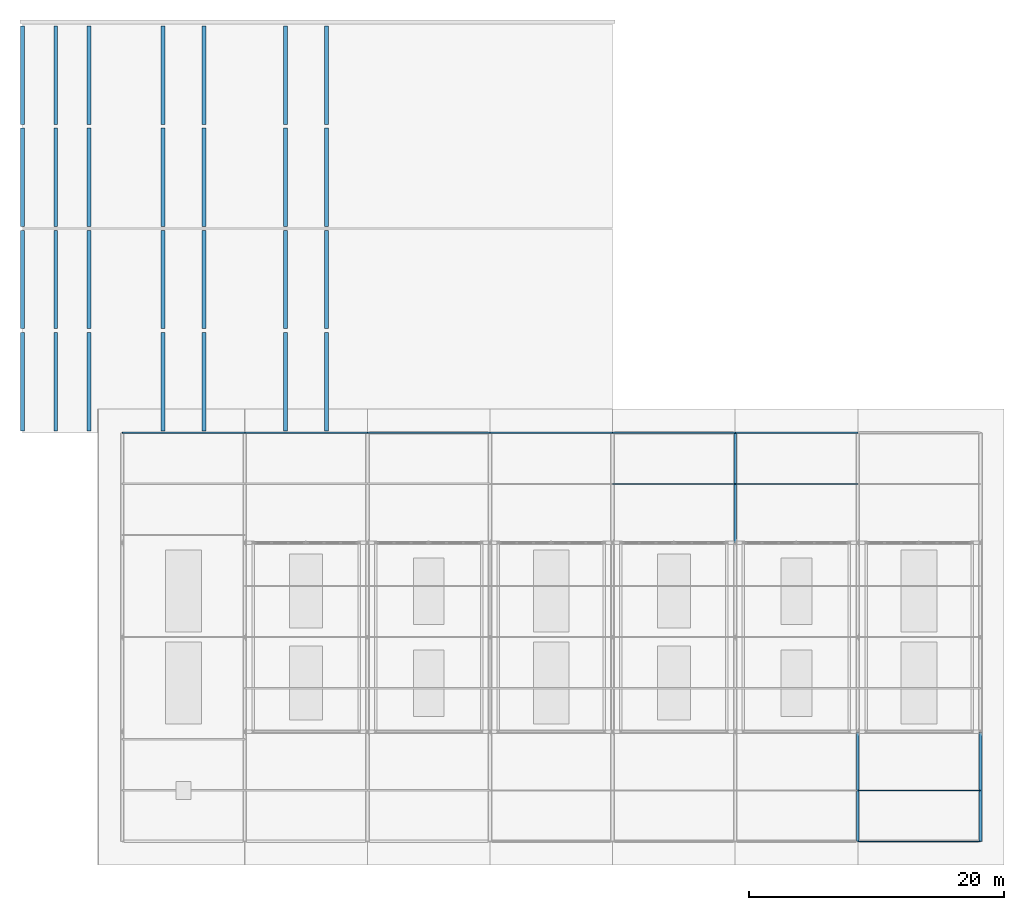
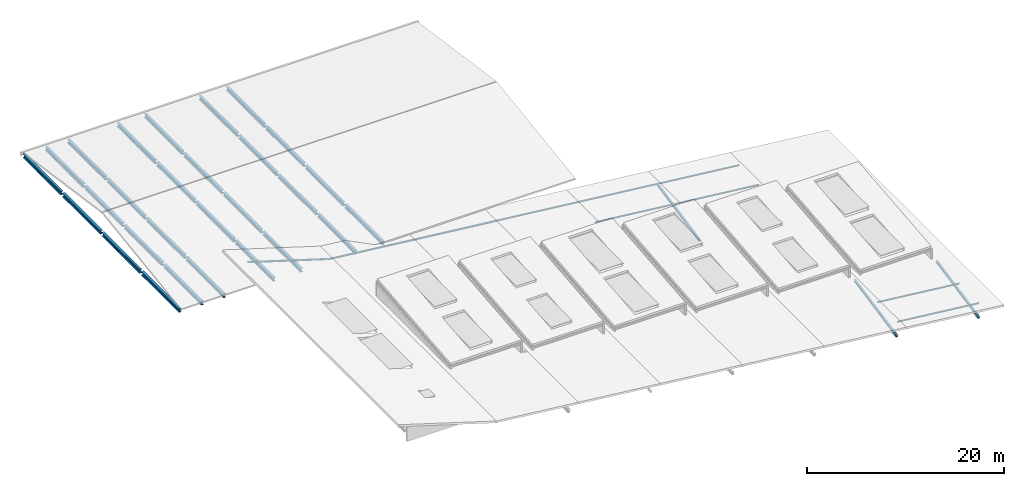
# One storey, part 19 of 30: 28 beams, 13 members.
"""IFC4 building model written with IfcOpenShell, lengths in metres."""

from ifc_helpers import new_model, si_unit, direction, frame, origin, origin_2d, place, context, subcontext, project, spatial, i_section, extrude, material, material_profile, profile_set, type_object, element, save


model = new_model("IFC4")

# Units and contexts
model_context = context("Model", 3, precision=1e-05, world=origin(), true_north=direction((0.0, 1.0)))
body_context = subcontext(model_context, "Body", "Model", "MODEL_VIEW")
ifc_project = project(units=[si_unit("LENGTHUNIT", "METRE"), si_unit("AREAUNIT", "SQUARE_METRE"), si_unit("VOLUMEUNIT", "CUBIC_METRE"), si_unit("PLANEANGLEUNIT", "RADIAN"), si_unit("MASSUNIT", "GRAM", prefix="KILO")], contexts=[model_context])

# Site, building, storey
site_placement = place(None, origin())
site = spatial("IfcSite", under=ifc_project, at=site_placement, CompositionType="ELEMENT")
building_placement = place(site_placement, origin())
building = spatial("IfcBuilding", under=site, at=building_placement, Name="Alderhovde Museum", CompositionType="ELEMENT")
storey_placement = place(building_placement, frame((0.0, 0.0, 30.699951171875)))
storey = spatial("IfcBuildingStorey", under=building, at=storey_placement, Name="RF", CompositionType="ELEMENT", Elevation=30.699951171875)

# Beams
ifc_material_1 = material(Name="Steel S355J2", Category="steel")
ifc_material_profile_1 = material_profile(ifc_material_1, i_section(OverallWidth=0.300048828125, OverallDepth=0.449951171875, WebThickness=0.013916015625, FlangeThickness=0.02587890625, FilletRadius=0.027099609375, at=origin_2d()), Name="HEB 450")
ifc_profile_set_1 = profile_set([ifc_material_profile_1], Name="Steel S355J2")
beam_type = type_object("IfcBeamType", Name="BM-HEB450", PredefinedType="BEAM", material=ifc_profile_set_1)
for number, where, z_axis, x_axis, name in (
    (1, (1.800048828125, 80.14990234375, -2.125), (0.0, 1.0, 0.0), (-1.0, 0.0, 0.0), "RF Transfer Transverse Beam X=1.8"),
    (2, (1.800048828125, 88.14990234375, -2.125), (0.0, 1.0, 0.0), (-1.0, 0.0, 0.0), "RF Transfer Transverse Beam X=1.8"),
    (3, (1.800048828125, 96.14990234375, -2.125), (0.0, 1.0, 0.0), (-1.0, 0.0, 0.0), "RF Transfer Transverse Beam X=1.8"),
    (4, (1.800048828125, 104.14990234375, -2.125), (0.0, 1.0, 0.0), (-1.0, 0.0, 0.0), "RF Transfer Transverse Beam X=1.8"),
    (5, (4.39990234375, 80.14990234375, -2.125), (0.0, 1.0, 0.0), (-1.0, 0.0, 0.0), "RF Transfer Transverse Beam X=4.4"),
    (6, (4.39990234375, 88.14990234375, -2.125), (0.0, 1.0, 0.0), (-1.0, 0.0, 0.0), "RF Transfer Transverse Beam X=4.4"),
    (7, (4.39990234375, 96.14990234375, -2.125), (0.0, 1.0, 0.0), (-1.0, 0.0, 0.0), "RF Transfer Transverse Beam X=4.4"),
    (8, (4.39990234375, 104.14990234375, -2.125), (0.0, 1.0, 0.0), (-1.0, 0.0, 0.0), "RF Transfer Transverse Beam X=4.4"),
    (9, (7.0, 80.14990234375, -2.125), (0.0, 1.0, 0.0), (-1.0, 0.0, 0.0), "RF Transfer Transverse Beam X=7.0"),
    (10, (7.0, 88.14990234375, -2.125), (0.0, 1.0, 0.0), (-1.0, 0.0, 0.0), "RF Transfer Transverse Beam X=7.0"),
    (11, (7.0, 96.14990234375, -2.125), (0.0, 1.0, 0.0), (-1.0, 0.0, 0.0), "RF Transfer Transverse Beam X=7.0"),
    (12, (7.0, 104.14990234375, -2.125), (0.0, 1.0, 0.0), (-1.0, 0.0, 0.0), "RF Transfer Transverse Beam X=7.0"),
    (13, (12.800048828125, 80.14990234375, -2.125), (0.0, 1.0, 0.0), (-1.0, 0.0, 0.0), "RF Transfer Transverse Beam X=12.8"),
    (14, (12.800048828125, 88.14990234375, -2.125), (0.0, 1.0, 0.0), (-1.0, 0.0, 0.0), "RF Transfer Transverse Beam X=12.8"),
    (15, (12.800048828125, 96.14990234375, -2.125), (0.0, 1.0, 0.0), (-1.0, 0.0, 0.0), "RF Transfer Transverse Beam X=12.8"),
    (16, (12.800048828125, 104.14990234375, -2.125), (0.0, 1.0, 0.0), (-1.0, 0.0, 0.0), "RF Transfer Transverse Beam X=12.8"),
    (17, (16.0, 80.14990234375, -2.125), (0.0, 1.0, 0.0), (-1.0, 0.0, 0.0), "RF Transfer Transverse Beam X=16.0"),
    (18, (16.0, 88.14990234375, -2.125), (0.0, 1.0, 0.0), (-1.0, 0.0, 0.0), "RF Transfer Transverse Beam X=16.0"),
    (19, (16.0, 96.14990234375, -2.125), (0.0, 1.0, 0.0), (-1.0, 0.0, 0.0), "RF Transfer Transverse Beam X=16.0"),
    (20, (16.0, 104.14990234375, -2.125), (0.0, 1.0, 0.0), (-1.0, 0.0, 0.0), "RF Transfer Transverse Beam X=16.0"),
    (21, (22.39990234375, 80.14990234375, -2.125), (0.0, 1.0, 0.0), (-1.0, 0.0, 0.0), "RF Transfer Transverse Beam X=22.4"),
    (22, (22.39990234375, 88.14990234375, -2.125), (0.0, 1.0, 0.0), (-1.0, 0.0, 0.0), "RF Transfer Transverse Beam X=22.4"),
    (23, (22.39990234375, 96.14990234375, -2.125), (0.0, 1.0, 0.0), (-1.0, 0.0, 0.0), "RF Transfer Transverse Beam X=22.4"),
    (24, (22.39990234375, 104.14990234375, -2.125), (0.0, 1.0, 0.0), (-1.0, 0.0, 0.0), "RF Transfer Transverse Beam X=22.4"),
    (25, (25.60009765625, 80.14990234375, -2.125), (0.0, 1.0, 0.0), (-1.0, 0.0, 0.0), "RF Transfer Transverse Beam X=25.6"),
    (26, (25.60009765625, 88.14990234375, -2.125), (0.0, 1.0, 0.0), (-1.0, 0.0, 0.0), "RF Transfer Transverse Beam X=25.6"),
    (27, (25.60009765625, 96.14990234375, -2.125), (0.0, 1.0, 0.0), (-1.0, 0.0, 0.0), "RF Transfer Transverse Beam X=25.6"),
    (28, (25.60009765625, 104.14990234375, -2.125), (0.0, 1.0, 0.0), (-1.0, 0.0, 0.0), "RF Transfer Transverse Beam X=25.6"),
):
    element("IfcBeam", number, at=place(storey_placement, frame(where, z_axis=z_axis, x_axis=x_axis)), inside=storey, type_object=beam_type, Name=name, PredefinedType="BEAM", context=body_context, shape_type="SweptSolid", body=[
        extrude(i_section(OverallWidth=0.300048828125, OverallDepth=0.449951171875, WebThickness=0.013916015625, FlangeThickness=0.02587890625, FilletRadius=0.027099609375, at=origin_2d()), origin(), (0.0, 0.0, 1.0), 7.7001953125),
    ])

# Members
ifc_material_2 = material(Name="Steel S355J2", Category="steel")
ifc_material_profile_2 = material_profile(ifc_material_2, i_section(OverallWidth=0.091064453125, OverallDepth=0.179931640625, WebThickness=0.00537109375, FlangeThickness=0.008056640625, FilletRadius=0.009033203125, at=origin_2d()), Name="IPE 180")
ifc_profile_set_2 = profile_set([ifc_material_profile_2], Name="Steel S355J2")
member_type_1 = type_object("IfcMemberType", Name="PRL-IPE180", PredefinedType="PURLIN", material=ifc_profile_set_2)
for number, where, z_axis, x_axis, name in (
    (29, (38.39990234375, 80.0, -3.806640625), (0.994201715794, 0.0, -0.107531150432), (0.0, 1.0, 0.0), "Folded Wing Roof Purlin Bay 4 Y=80"),
    (30, (48.0, 76.0, -4.844970703125), (0.994201715794, 0.0, -0.107531150432), (0.0, 1.0, 0.0), "Folded Wing Roof Purlin Bay 5 Y=76"),
    (31, (48.0, 80.0, -4.844970703125), (0.994201715794, 0.0, -0.107531150432), (0.0, 1.0, 0.0), "Folded Wing Roof Purlin Bay 5 Y=80"),
):
    element("IfcMember", number, at=place(storey_placement, frame(where, z_axis=z_axis, x_axis=x_axis)), inside=storey, type_object=member_type_1, Name=name, PredefinedType="PURLIN", context=body_context, shape_type="SweptSolid", body=[
        extrude(i_section(OverallWidth=0.091064453125, OverallDepth=0.179931640625, WebThickness=0.00537109375, FlangeThickness=0.008056640625, FilletRadius=0.009033203125, at=origin_2d()), origin(), (0.0, 0.0, 1.0), 9.656005859375),
    ])
for number, where, z_axis, x_axis, name in (
    (32, (57.60009765625, 76.0, -5.88330078125), (0.99420142343, 0.0, -0.107533853509), (0.0, 1.0, 0.0), "Folded Wing Roof Purlin Bay 6 Y=76"),
    (33, (57.60009765625, 80.0, -5.88330078125), (0.99420142343, 0.0, -0.107533853509), (0.0, 1.0, 0.0), "Folded Wing Roof Purlin Bay 6 Y=80"),
):
    element("IfcMember", number, at=place(storey_placement, frame(where, z_axis=z_axis, x_axis=x_axis)), inside=storey, type_object=member_type_1, Name=name, PredefinedType="PURLIN", context=body_context, shape_type="SweptSolid", body=[
        extrude(i_section(OverallWidth=0.091064453125, OverallDepth=0.179931640625, WebThickness=0.00537109375, FlangeThickness=0.008056640625, FilletRadius=0.009033203125, at=origin_2d()), origin(), (0.0, 0.0, 1.0), 9.65576171875),
    ])
for number, where, z_axis, x_axis, name in (
    (34, (67.199951171875, 48.0, -6.921630859375), (0.994201715794, 0.0, -0.107531150432), (0.0, 1.0, 0.0), "Folded Wing Roof Purlin Bay 7 Y=48"),
    (35, (67.199951171875, 52.0, -6.921630859375), (0.994201715794, 0.0, -0.107531150432), (0.0, 1.0, 0.0), "Folded Wing Roof Purlin Bay 7 Y=52"),
):
    element("IfcMember", number, at=place(storey_placement, frame(where, z_axis=z_axis, x_axis=x_axis)), inside=storey, type_object=member_type_1, Name=name, PredefinedType="PURLIN", context=body_context, shape_type="SweptSolid", body=[
        extrude(i_section(OverallWidth=0.091064453125, OverallDepth=0.179931640625, WebThickness=0.00537109375, FlangeThickness=0.008056640625, FilletRadius=0.009033203125, at=origin_2d()), origin(), (0.0, 0.0, 1.0), 9.656005859375),
    ])
ifc_material_3 = material(Name="Steel S355J2", Category="steel")
ifc_material_profile_3 = material_profile(ifc_material_3, i_section(OverallWidth=0.10009765625, OverallDepth=0.199951171875, WebThickness=0.005615234375, FlangeThickness=0.008544921875, FilletRadius=0.011962890625, at=origin_2d()), Name="IPE 200")
ifc_profile_set_3 = profile_set([ifc_material_profile_3], Name="Steel S355J2")
member_type_2 = type_object("IfcMemberType", Name="PRL-IPE200", PredefinedType="PURLIN", material=ifc_profile_set_3)
member_1_placement = place(storey_placement, frame((9.60009765625, 80.0, 1.22998046875), z_axis=(0.955325587026, 0.0, -0.295555447882), x_axis=(0.0, 1.0, 0.0)))
element("IfcMember", 36, at=member_1_placement, inside=storey, type_object=member_type_2, Name="Folded Wing Roof Purlin Bay 1 Y=80", PredefinedType="PURLIN", context=body_context, shape_type="SweptSolid", body=[
    extrude(i_section(OverallWidth=0.10009765625, OverallDepth=0.199951171875, WebThickness=0.005615234375, FlangeThickness=0.008544921875, FilletRadius=0.011962890625, at=origin_2d()), origin(), (0.0, 0.0, 1.0), 10.048828125),
])
member_2_placement = place(storey_placement, frame((19.199951171875, 80.0, -1.739990234375), z_axis=(0.994201715794, 0.0, -0.107531150432), x_axis=(0.0, 1.0, 0.0)))
element("IfcMember", 37, at=member_2_placement, inside=storey, type_object=member_type_2, Name="Folded Wing Roof Purlin Bay 2 Y=80", PredefinedType="PURLIN", context=body_context, shape_type="SweptSolid", body=[
    extrude(i_section(OverallWidth=0.10009765625, OverallDepth=0.199951171875, WebThickness=0.005615234375, FlangeThickness=0.008544921875, FilletRadius=0.011962890625, at=origin_2d()), origin(), (0.0, 0.0, 1.0), 9.656005859375),
])
member_3_placement = place(storey_placement, frame((28.800048828125, 80.0, -2.7783203125), z_axis=(0.99420142343, 0.0, -0.107533853509), x_axis=(0.0, 1.0, 0.0)))
element("IfcMember", 38, at=member_3_placement, inside=storey, type_object=member_type_2, Name="Folded Wing Roof Purlin Bay 3 Y=80", PredefinedType="PURLIN", context=body_context, shape_type="SweptSolid", body=[
    extrude(i_section(OverallWidth=0.10009765625, OverallDepth=0.199951171875, WebThickness=0.005615234375, FlangeThickness=0.008544921875, FilletRadius=0.011962890625, at=origin_2d()), origin(), (0.0, 0.0, 1.0), 9.65576171875),
])
ifc_material_4 = material(Name="Steel S355J2", Category="steel")
ifc_material_profile_4 = material_profile(ifc_material_4, i_section(OverallWidth=0.219970703125, OverallDepth=0.2099609375, WebThickness=0.007080078125, FlangeThickness=0.010986328125, FilletRadius=0.01806640625, at=origin_2d()), Name="HEA 220")
ifc_profile_set_4 = profile_set([ifc_material_profile_4], Name="Steel S355J2")
member_type_3 = type_object("IfcMemberType", Name="TR-DG-HEA220", PredefinedType="RAFTER", material=ifc_profile_set_4)
for number, where, z_axis, x_axis, name in (
    (39, (57.60009765625, 71.39990234375, -7.67333984375), (0.0, 0.97991824063, 0.199399703311), (-1.0, 0.0, 0.0), "Sawtooth Roof Truss X=57.6 Web Diagonal 4"),
    (40, (67.199951171875, 48.0, -8.711669921875), (0.0, 0.97991824063, 0.199399703311), (-1.0, 0.0, 0.0), "Sawtooth Roof Truss X=67.2 Web Diagonal 1"),
    (41, (76.800048828125, 48.0, -9.75), (0.0, 0.97991824063, 0.199399703311), (-1.0, 0.0, 0.0), "Sawtooth Roof Truss X=76.8 Web Diagonal 1"),
):
    element("IfcMember", number, at=place(storey_placement, frame(where, z_axis=z_axis, x_axis=x_axis)), inside=storey, type_object=member_type_3, Name=name, PredefinedType="RAFTER", context=body_context, shape_type="SweptSolid", body=[
        extrude(i_section(OverallWidth=0.219970703125, OverallDepth=0.2099609375, WebThickness=0.007080078125, FlangeThickness=0.010986328125, FilletRadius=0.01806640625, at=origin_2d()), origin(), (0.0, 0.0, 1.0), 8.7763671875),
    ])

save(model, "model.ifc")
